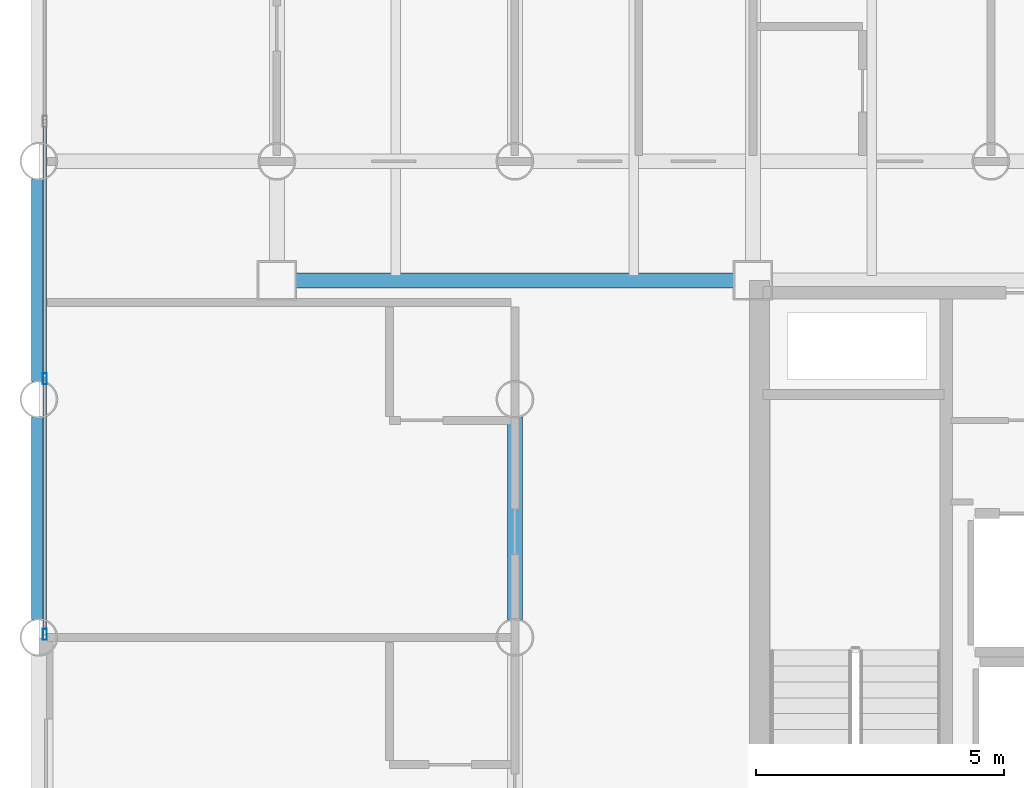
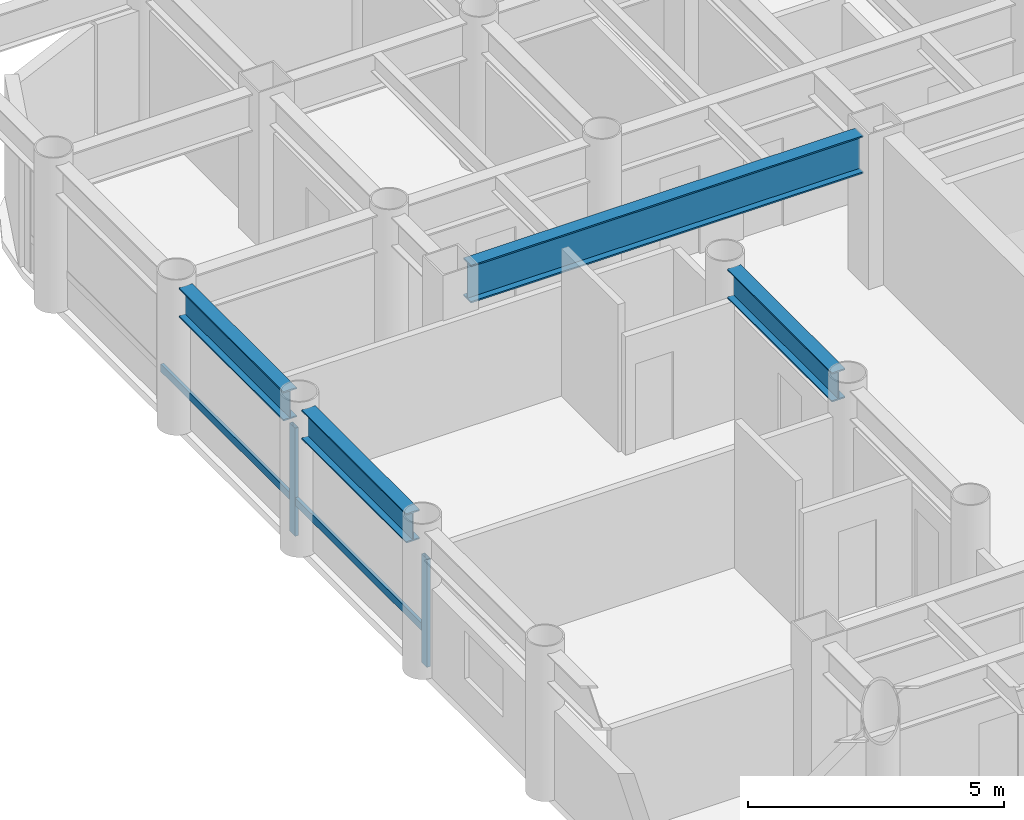
# One storey, part 4 of 21: 4 beams, 4 members, 1 element without a shape of its own.
"""IFC4 building model written with IfcOpenShell, lengths in metres."""

from ifc_helpers import new_model, si_unit, direction, frame, origin, origin_2d, place, context, subcontext, project, spatial, hollow_rectangle, i_section, extrude, material, layer, layer_set, material_profile, profile_set, type_object, element, aggregate, save


model = new_model("IFC4")

# Units and contexts
model_context = context("Model", 3, precision=1e-05, world=origin(), true_north=direction((0.0, 1.0)))
body_context = subcontext(model_context, "Body", "Model", "MODEL_VIEW")
ifc_project = project(units=[si_unit("LENGTHUNIT", "METRE"), si_unit("AREAUNIT", "SQUARE_METRE"), si_unit("VOLUMEUNIT", "CUBIC_METRE"), si_unit("PLANEANGLEUNIT", "RADIAN"), si_unit("MASSUNIT", "GRAM", prefix="KILO")], contexts=[model_context])

# Site, building, storey
site_placement = place(None, origin())
site = spatial("IfcSite", under=ifc_project, at=site_placement, CompositionType="ELEMENT")
building_placement = place(site_placement, origin())
building = spatial("IfcBuilding", under=site, at=building_placement, Name="Kallvorn Hotel Tower", CompositionType="ELEMENT")
storey_placement = place(building_placement, frame((0.0, 0.0, 81.800048828125)))
storey = spatial("IfcBuildingStorey", under=building, at=storey_placement, Name="L19", CompositionType="ELEMENT", Elevation=81.800048828125)

# Beams
ifc_material_1 = material(Name="Structural steel S355JR", Category="steel")
ifc_material_profile_1 = material_profile(ifc_material_1, i_section(OverallWidth=0.300048828125, OverallDepth=0.699951171875, WebThickness=0.01708984375, FlangeThickness=0.031982421875, at=origin_2d()), Name="HE 700 B")
ifc_profile_set_1 = profile_set([ifc_material_profile_1], Name="Structural steel S355JR")
beam_type_1 = type_object("IfcBeamType", Name="BM_HE700B", PredefinedType="BEAM", material=ifc_profile_set_1)
beam_1_placement = place(storey_placement, frame((-28.800048828125, 0.35595703125, 3.169921875), z_axis=(0.0, 1.0, 0.0), x_axis=(-1.0, 0.0, 0.0)))
element("IfcBeam", 1, at=beam_1_placement, inside=storey, type_object=beam_type_1, Name="L20 Primary Y-Girder 77", PredefinedType="BEAM", context=body_context, shape_type="SweptSolid", body=[
    extrude(i_section(OverallWidth=0.300048828125, OverallDepth=0.699951171875, WebThickness=0.01708984375, FlangeThickness=0.031982421875, at=origin_2d()), origin(), (0.0, 0.0, 1.0), 4.088134765625),
])
beam_2_placement = place(storey_placement, frame((-28.800048828125, 5.156005859375, 3.169921875), z_axis=(0.0, 1.0, 0.0), x_axis=(-1.0, 0.0, 0.0)))
element("IfcBeam", 2, at=beam_2_placement, inside=storey, type_object=beam_type_1, Name="L20 Primary Y-Girder 78", PredefinedType="BEAM", context=body_context, shape_type="SweptSolid", body=[
    extrude(i_section(OverallWidth=0.300048828125, OverallDepth=0.699951171875, WebThickness=0.01708984375, FlangeThickness=0.031982421875, at=origin_2d()), origin(), (0.0, 0.0, 1.0), 4.087890625),
])
beam_3_placement = place(storey_placement, frame((-19.199951171875, 0.35595703125, 3.169921875), z_axis=(0.0, 1.0, 0.0), x_axis=(-1.0, 0.0, 0.0)))
element("IfcBeam", 3, at=beam_3_placement, inside=storey, type_object=beam_type_1, Name="L20 Primary Y-Girder 93", PredefinedType="BEAM", context=body_context, shape_type="SweptSolid", body=[
    extrude(i_section(OverallWidth=0.300048828125, OverallDepth=0.699951171875, WebThickness=0.01708984375, FlangeThickness=0.031982421875, at=origin_2d()), origin(), (0.0, 0.0, 1.0), 4.088134765625),
])
ifc_material_2 = material(Name="Structural steel S355JR", Category="steel")
ifc_material_profile_2 = material_profile(ifc_material_2, i_section(OverallWidth=0.300048828125, OverallDepth=0.89990234375, WebThickness=0.0185546875, FlangeThickness=0.034912109375, at=origin_2d()), Name="HE 900 B")
ifc_profile_set_2 = profile_set([ifc_material_profile_2], Name="Structural steel S355JR")
beam_type_2 = type_object("IfcBeamType", Name="BM_HE900B", PredefinedType="BEAM", material=ifc_profile_set_2)
beam_4_placement = place(storey_placement, frame((-23.625, 7.199951171875, 3.070068359375), z_axis=(1.0, 0.0, 0.0), x_axis=(0.0, 1.0, 0.0)))
element("IfcBeam", 4, at=beam_4_placement, inside=storey, type_object=beam_type_2, Name="L20 Primary X-Girder 37", PredefinedType="BEAM", context=body_context, shape_type="SweptSolid", body=[
    extrude(i_section(OverallWidth=0.300048828125, OverallDepth=0.89990234375, WebThickness=0.0185546875, FlangeThickness=0.034912109375, at=origin_2d()), origin(), (0.0, 0.0, 1.0), 8.85009765625),
])

# Curtain wall, members
ifc_material_3 = material(Name="Thermally broken black-anodised aluminium AA 6063-T6", Category="aluminium")
ifc_layer = layer(ifc_material_3, 0.199951171875)
ifc_layer_set = layer_set([ifc_layer], Name="CW_SYS_3_HOTEL_LOW")
curtain_wall_type = type_object("IfcCurtainWallType", Name="CW_SYS_3_HOTEL_LOW", PredefinedType="USERDEFINED", material=ifc_layer_set)
curtain_wall_placement = place(storey_placement, origin())
curtain_wall = element("IfcCurtainWall", 5, at=curtain_wall_placement, inside=storey, type_object=curtain_wall_type, Name="L19 Dark-Glass Curtain Wall CW-L19-WN", ObjectType="UNITISED CURTAIN WALL", PredefinedType="USERDEFINED")
ifc_material_4 = material(Name="Thermally broken black-anodised aluminium AA 6063-T6", Category="aluminium")
ifc_material_profile_3 = material_profile(ifc_material_4, hollow_rectangle(XDim=0.080078125, YDim=0.219970703125, WallThickness=0.0048828125, at=origin_2d()), Name="MUL 220x80")
ifc_profile_set_3 = profile_set([ifc_material_profile_3], Name="Thermally broken black-anodised aluminium AA 6063-T6")
member_type_1 = type_object("IfcMemberType", Name="CW_MULLION_220x80", PredefinedType="MULLION", material=ifc_profile_set_3)
member_1_placement = place(storey_placement, frame((-28.679931640625, 0.06005859375, 0.02001953125), z_axis=(0.0, 0.0, 1.0), x_axis=(1.0, 0.0, 0.0)))
member_1 = element("IfcMember", 6, at=member_1_placement, type_object=member_type_1, Name="CW-L19-WN Mullion 00", PredefinedType="MULLION", context=body_context, shape_type="SweptSolid", body=[
    extrude(hollow_rectangle(XDim=0.080078125, YDim=0.219970703125, WallThickness=0.0048828125, at=origin_2d()), origin(), (0.0, 0.0, 1.0), 2.579833984375),
])
member_2_placement = place(storey_placement, frame((-28.679931640625, 5.21337890625, 0.02001953125), z_axis=(0.0, 0.0, 1.0), x_axis=(1.0, 0.0, 0.0)))
member_2 = element("IfcMember", 7, at=member_2_placement, type_object=member_type_1, Name="CW-L19-WN Mullion 01", PredefinedType="MULLION", context=body_context, shape_type="SweptSolid", body=[
    extrude(hollow_rectangle(XDim=0.080078125, YDim=0.219970703125, WallThickness=0.0048828125, at=origin_2d()), origin(), (0.0, 0.0, 1.0), 2.579833984375),
])
ifc_material_5 = material(Name="Thermally broken black-anodised aluminium AA 6063-T6", Category="aluminium")
ifc_material_profile_4 = material_profile(ifc_material_5, hollow_rectangle(XDim=0.070068359375, YDim=0.179931640625, WallThickness=0.00390625, at=origin_2d()), Name="TRN 180x70")
ifc_profile_set_4 = profile_set([ifc_material_profile_4], Name="Thermally broken black-anodised aluminium AA 6063-T6")
member_type_2 = type_object("IfcMemberType", Name="CW_TRANSOM_180x70", PredefinedType="USERDEFINED", material=ifc_profile_set_4)
member_3_placement = place(storey_placement, frame((-28.679931640625, 0.06005859375, 0.849853515625), z_axis=(0.0, 1.0, 0.0), x_axis=(-1.0, 0.0, 0.0)))
member_3 = element("IfcMember", 8, at=member_3_placement, type_object=member_type_2, Name="CW-L19-WN Transom 00M", ObjectType="TRANSOM", PredefinedType="USERDEFINED", context=body_context, shape_type="SweptSolid", body=[
    extrude(hollow_rectangle(XDim=0.070068359375, YDim=0.179931640625, WallThickness=0.00390625, at=origin_2d()), origin(), (0.0, 0.0, 1.0), 5.11328125),
])
member_4_placement = place(storey_placement, frame((-28.679931640625, 5.25341796875, 0.849853515625), z_axis=(0.0, 1.0, 0.0), x_axis=(-1.0, 0.0, 0.0)))
member_4 = element("IfcMember", 9, at=member_4_placement, type_object=member_type_2, Name="CW-L19-WN Transom 01M", ObjectType="TRANSOM", PredefinedType="USERDEFINED", context=body_context, shape_type="SweptSolid", body=[
    extrude(hollow_rectangle(XDim=0.070068359375, YDim=0.179931640625, WallThickness=0.00390625, at=origin_2d()), origin(), (0.0, 0.0, 1.0), 5.11328125),
])
aggregate(curtain_wall, [member_1, member_2, member_3, member_4])

save(model, "model.ifc")
